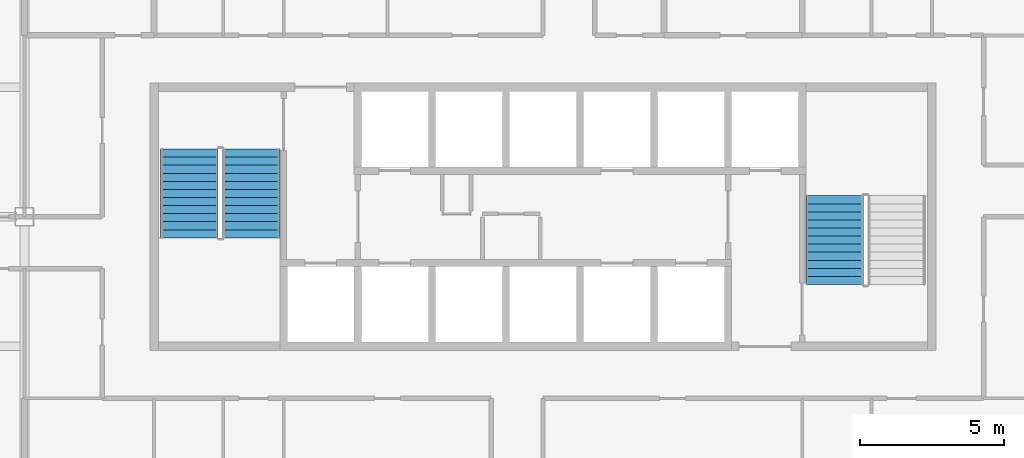
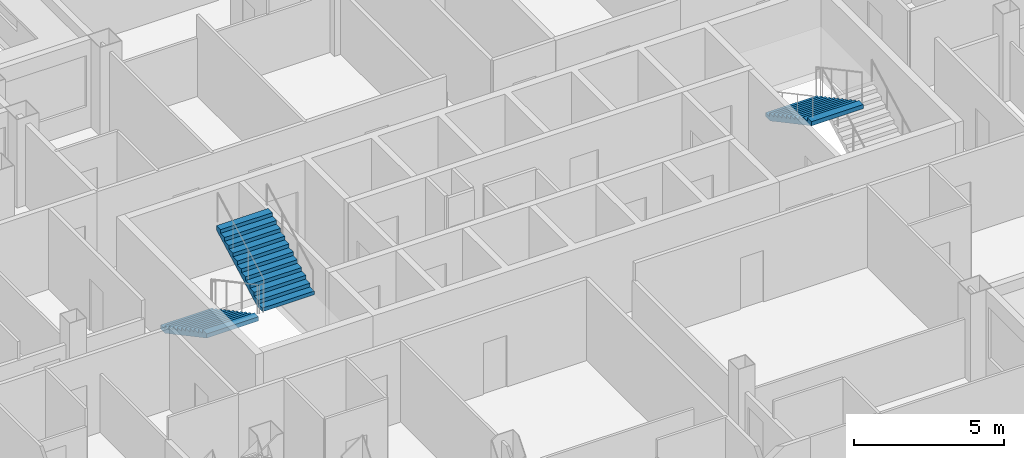
# One storey, part 13 of 17: 3 stair flights, 2 elements without a shape of their own.
"""IFC4 building model written with IfcOpenShell, lengths in metres."""

from ifc_helpers import new_model, si_unit, direction, frame, origin, place, context, subcontext, project, spatial, polygons, material, type_object, element, aggregate, save


model = new_model("IFC4")

# Units and contexts
model_context = context("Model", 3, precision=1e-05, world=origin(), true_north=direction((0.0, 1.0)))
body_context = subcontext(model_context, "Body", "Model", "MODEL_VIEW")
ifc_project = project(units=[si_unit("LENGTHUNIT", "METRE"), si_unit("AREAUNIT", "SQUARE_METRE"), si_unit("VOLUMEUNIT", "CUBIC_METRE"), si_unit("PLANEANGLEUNIT", "RADIAN"), si_unit("MASSUNIT", "GRAM", prefix="KILO")], contexts=[model_context])

# Site, building, storey
site_placement = place(None, origin())
site = spatial("IfcSite", under=ifc_project, at=site_placement, CompositionType="ELEMENT")
building_placement = place(site_placement, origin())
building = spatial("IfcBuilding", under=site, at=building_placement, Name="Caravel Reach Hotel and Residences", CompositionType="ELEMENT")
storey_placement = place(building_placement, frame((0.0, 0.0, 126.0)))
storey = spatial("IfcBuildingStorey", under=building, at=storey_placement, Name="L31", CompositionType="ELEMENT", Elevation=126.0)

# Stair, stair flights
ifc_material_1 = material(Name="Concrete C40", Category="concrete")
stair_type = type_object("IfcStairType", Name="Core stair", PredefinedType="HALF_TURN_STAIR", material=ifc_material_1)
stair_1_placement = place(storey_placement, origin())
stair_1 = element("IfcStair", 1, at=stair_1_placement, inside=storey, type_object=stair_type, Name="L31 Exit stair A", PredefinedType="HALF_TURN_STAIR")
ifc_material_2 = material(Name="Concrete C40", Category="concrete")
stair_flight_type = type_object("IfcStairFlightType", Name="Core stair flight", PredefinedType="STRAIGHT", material=ifc_material_2)
stair_flight_1_placement = place(storey_placement, frame((19.22509765625, 29.35009765625, 0.0), z_axis=(0.0, 0.0, 1.0), x_axis=(0.0, -1.0, 0.0)))
stair_flight_1 = element("IfcStairFlight", 2, at=stair_flight_1_placement, type_object=stair_flight_type, Name="ST-A flight 1", NumberOfRisers=12, NumberOfTreads=11, PredefinedType="STRAIGHT", RiserHeight=0.15, TreadLength=0.28, context=body_context, shape_type="Tessellation", body=[
    polygons([(0.3174408016601862, 1.0, 0.0), (0.3174408016601862, 0.6666666666666667, 0.0), (0.3174408016601862, 0.33333333333333337, 0.0), (0.3174408016601862, 0.0, 0.0), (0.3174408016601862, -0.33333333333333326, 0.0), (0.3174408016601862, -0.6666666666666667, 0.0), (0.3174408016601862, -1.0, 0.0), (3.081, 1.0, 1.479942427682043), (3.081, 0.6666666666666667, 1.479942427682043), (3.081, 0.33333333333333337, 1.479942427682043), (3.081, 0.0, 1.479942427682043), (3.081, -0.33333333333333326, 1.479942427682043), (3.081, -0.6666666666666667, 1.479942427682043), (3.081, -1.0, 1.479942427682043), (3.081, 1.0, 1.65), (3.081, 0.6666666666666667, 1.65), (3.081, 0.33333333333333337, 1.65), (3.081, 0.0, 1.65), (3.081, -0.33333333333333326, 1.65), (3.081, -0.6666666666666667, 1.65), (3.081, -1.0, 1.65), (2.8000000000000003, 1.0, 1.65), (2.8000000000000003, 0.6666666666666667, 1.65), (2.8000000000000003, 0.33333333333333337, 1.65), (2.8000000000000003, 0.0, 1.65), (2.8000000000000003, -0.33333333333333326, 1.65), (2.8000000000000003, -0.6666666666666667, 1.65), (2.8000000000000003, -1.0, 1.65), (2.8000000000000003, 1.0, 1.5), (2.8000000000000003, 0.6666666666666667, 1.5), (2.8000000000000003, 0.33333333333333337, 1.5), (2.8000000000000003, 0.0, 1.5), (2.8000000000000003, -0.33333333333333326, 1.5), (2.8000000000000003, -0.6666666666666667, 1.5), (2.8000000000000003, -1.0, 1.5), (2.5200000000000005, 1.0, 1.5), (2.5200000000000005, 0.6666666666666667, 1.5), (2.5200000000000005, 0.33333333333333337, 1.5), (2.5200000000000005, 0.0, 1.5), (2.5200000000000005, -0.33333333333333326, 1.5), (2.5200000000000005, -0.6666666666666667, 1.5), (2.5200000000000005, -1.0, 1.5), (2.5200000000000005, 1.0, 1.3499999999999999), (2.5200000000000005, 0.6666666666666667, 1.3499999999999999), (2.5200000000000005, 0.33333333333333337, 1.3499999999999999), (2.5200000000000005, 0.0, 1.3499999999999999), (2.5200000000000005, -0.33333333333333326, 1.3499999999999999), (2.5200000000000005, -0.6666666666666667, 1.3499999999999999), (2.5200000000000005, -1.0, 1.3499999999999999), (2.24, 1.0, 1.3499999999999999), (2.24, 0.6666666666666667, 1.3499999999999999), (2.24, 0.33333333333333337, 1.3499999999999999), (2.24, 0.0, 1.3499999999999999), (2.24, -0.33333333333333326, 1.3499999999999999), (2.24, -0.6666666666666667, 1.3499999999999999), (2.24, -1.0, 1.3499999999999999), (2.24, 1.0, 1.2), (2.24, 0.6666666666666667, 1.2), (2.24, 0.33333333333333337, 1.2), (2.24, 0.0, 1.2), (2.24, -0.33333333333333326, 1.2), (2.24, -0.6666666666666667, 1.2), (2.24, -1.0, 1.2), (1.9600000000000002, 1.0, 1.2), (1.9600000000000002, 0.6666666666666667, 1.2), (1.9600000000000002, 0.33333333333333337, 1.2), (1.9600000000000002, 0.0, 1.2), (1.9600000000000002, -0.33333333333333326, 1.2), (1.9600000000000002, -0.6666666666666667, 1.2), (1.9600000000000002, -1.0, 1.2), (1.9600000000000002, 1.0, 1.05), (1.9600000000000002, 0.6666666666666667, 1.05), (1.9600000000000002, 0.33333333333333337, 1.05), (1.9600000000000002, 0.0, 1.05), (1.9600000000000002, -0.33333333333333326, 1.05), (1.9600000000000002, -0.6666666666666667, 1.05), (1.9600000000000002, -1.0, 1.05), (1.6800000000000002, 1.0, 1.05), (1.6800000000000002, 0.6666666666666667, 1.05), (1.6800000000000002, 0.33333333333333337, 1.05), (1.6800000000000002, 0.0, 1.05), (1.6800000000000002, -0.33333333333333326, 1.05), (1.6800000000000002, -0.6666666666666667, 1.05), (1.6800000000000002, -1.0, 1.05), (1.6800000000000002, 1.0, 0.8999999999999999), (1.6800000000000002, 0.6666666666666667, 0.8999999999999999), (1.6800000000000002, 0.33333333333333337, 0.8999999999999999), (1.6800000000000002, 0.0, 0.8999999999999999), (1.6800000000000002, -0.33333333333333326, 0.8999999999999999), (1.6800000000000002, -0.6666666666666667, 0.8999999999999999), (1.6800000000000002, -1.0, 0.8999999999999999), (1.4000000000000001, 1.0, 0.8999999999999999), (1.4000000000000001, 0.6666666666666667, 0.8999999999999999), (1.4000000000000001, 0.33333333333333337, 0.8999999999999999), (1.4000000000000001, 0.0, 0.8999999999999999), (1.4000000000000001, -0.33333333333333326, 0.8999999999999999), (1.4000000000000001, -0.6666666666666667, 0.8999999999999999), (1.4000000000000001, -1.0, 0.8999999999999999), (1.4000000000000001, 1.0, 0.75), (1.4000000000000001, 0.6666666666666667, 0.75), (1.4000000000000001, 0.33333333333333337, 0.75), (1.4000000000000001, 0.0, 0.75), (1.4000000000000001, -0.33333333333333326, 0.75), (1.4000000000000001, -0.6666666666666667, 0.75), (1.4000000000000001, -1.0, 0.75), (1.12, 1.0, 0.75), (1.12, 0.6666666666666667, 0.75), (1.12, 0.33333333333333337, 0.75), (1.12, 0.0, 0.75), (1.12, -0.33333333333333326, 0.75), (1.12, -0.6666666666666667, 0.75), (1.12, -1.0, 0.75), (1.12, 1.0, 0.6), (1.12, 0.6666666666666667, 0.6), (1.12, 0.33333333333333337, 0.6), (1.12, 0.0, 0.6), (1.12, -0.33333333333333326, 0.6), (1.12, -0.6666666666666667, 0.6), (1.12, -1.0, 0.6), (0.8400000000000001, 1.0, 0.6), (0.8400000000000001, 0.6666666666666667, 0.6), (0.8400000000000001, 0.33333333333333337, 0.6), (0.8400000000000001, 0.0, 0.6), (0.8400000000000001, -0.33333333333333326, 0.6), (0.8400000000000001, -0.6666666666666667, 0.6), (0.8400000000000001, -1.0, 0.6), (0.8400000000000001, 1.0, 0.44999999999999996), (0.8400000000000001, 0.6666666666666667, 0.44999999999999996), (0.8400000000000001, 0.33333333333333337, 0.44999999999999996), (0.8400000000000001, 0.0, 0.44999999999999996), (0.8400000000000001, -0.33333333333333326, 0.44999999999999996), (0.8400000000000001, -0.6666666666666667, 0.44999999999999996), (0.8400000000000001, -1.0, 0.44999999999999996), (0.56, 1.0, 0.44999999999999996), (0.56, 0.6666666666666667, 0.44999999999999996), (0.56, 0.33333333333333337, 0.44999999999999996), (0.56, 0.0, 0.44999999999999996), (0.56, -0.33333333333333326, 0.44999999999999996), (0.56, -0.6666666666666667, 0.44999999999999996), (0.56, -1.0, 0.44999999999999996), (0.56, 1.0, 0.3), (0.56, 0.6666666666666667, 0.3), (0.56, 0.33333333333333337, 0.3), (0.56, 0.0, 0.3), (0.56, -0.33333333333333326, 0.3), (0.56, -0.6666666666666667, 0.3), (0.56, -1.0, 0.3), (0.28, 1.0, 0.3), (0.28, 0.6666666666666667, 0.3), (0.28, 0.33333333333333337, 0.3), (0.28, 0.0, 0.3), (0.28, -0.33333333333333326, 0.3), (0.28, -0.6666666666666667, 0.3), (0.28, -1.0, 0.3), (0.28, 1.0, 0.15), (0.28, 0.6666666666666667, 0.15), (0.28, 0.33333333333333337, 0.15), (0.28, 0.0, 0.15), (0.28, -0.33333333333333326, 0.15), (0.28, -0.6666666666666667, 0.15), (0.28, -1.0, 0.15), (-0.001, 1.0, 0.15), (-0.001, 0.6666666666666667, 0.15), (-0.001, 0.33333333333333337, 0.15), (-0.001, 0.0, 0.15), (-0.001, -0.33333333333333326, 0.15), (-0.001, -0.6666666666666667, 0.15), (-0.001, -1.0, 0.15), (-0.001, 1.0, 0.0), (-0.001, 0.6666666666666667, 0.0), (-0.001, 0.33333333333333337, 0.0), (-0.001, 0.0, 0.0), (-0.001, -0.33333333333333326, 0.0), (-0.001, -0.6666666666666667, 0.0), (-0.001, -1.0, 0.0)], [[[169, 162, 155, 148, 141, 134, 127, 120, 113, 106, 99, 92, 85, 78, 71, 64, 57, 50, 43, 36, 29, 22, 15, 8, 1]], [[7, 14, 21, 28, 35, 42, 49, 56, 63, 70, 77, 84, 91, 98, 105, 112, 119, 126, 133, 140, 147, 154, 161, 168, 175]], [[1, 8, 9, 2]], [[2, 9, 10, 3]], [[3, 10, 11, 4]], [[4, 11, 12, 5]], [[5, 12, 13, 6]], [[6, 13, 14, 7]], [[8, 15, 16, 9]], [[9, 16, 17, 10]], [[10, 17, 18, 11]], [[11, 18, 19, 12]], [[12, 19, 20, 13]], [[13, 20, 21, 14]], [[15, 22, 23, 16]], [[16, 23, 24, 17]], [[17, 24, 25, 18]], [[18, 25, 26, 19]], [[19, 26, 27, 20]], [[20, 27, 28, 21]], [[22, 29, 30, 23]], [[23, 30, 31, 24]], [[24, 31, 32, 25]], [[25, 32, 33, 26]], [[26, 33, 34, 27]], [[27, 34, 35, 28]], [[29, 36, 37, 30]], [[30, 37, 38, 31]], [[31, 38, 39, 32]], [[32, 39, 40, 33]], [[33, 40, 41, 34]], [[34, 41, 42, 35]], [[36, 43, 44, 37]], [[37, 44, 45, 38]], [[38, 45, 46, 39]], [[39, 46, 47, 40]], [[40, 47, 48, 41]], [[41, 48, 49, 42]], [[43, 50, 51, 44]], [[44, 51, 52, 45]], [[45, 52, 53, 46]], [[46, 53, 54, 47]], [[47, 54, 55, 48]], [[48, 55, 56, 49]], [[50, 57, 58, 51]], [[51, 58, 59, 52]], [[52, 59, 60, 53]], [[53, 60, 61, 54]], [[54, 61, 62, 55]], [[55, 62, 63, 56]], [[57, 64, 65, 58]], [[58, 65, 66, 59]], [[59, 66, 67, 60]], [[60, 67, 68, 61]], [[61, 68, 69, 62]], [[62, 69, 70, 63]], [[64, 71, 72, 65]], [[65, 72, 73, 66]], [[66, 73, 74, 67]], [[67, 74, 75, 68]], [[68, 75, 76, 69]], [[69, 76, 77, 70]], [[71, 78, 79, 72]], [[72, 79, 80, 73]], [[73, 80, 81, 74]], [[74, 81, 82, 75]], [[75, 82, 83, 76]], [[76, 83, 84, 77]], [[78, 85, 86, 79]], [[79, 86, 87, 80]], [[80, 87, 88, 81]], [[81, 88, 89, 82]], [[82, 89, 90, 83]], [[83, 90, 91, 84]], [[85, 92, 93, 86]], [[86, 93, 94, 87]], [[87, 94, 95, 88]], [[88, 95, 96, 89]], [[89, 96, 97, 90]], [[90, 97, 98, 91]], [[92, 99, 100, 93]], [[93, 100, 101, 94]], [[94, 101, 102, 95]], [[95, 102, 103, 96]], [[96, 103, 104, 97]], [[97, 104, 105, 98]], [[99, 106, 107, 100]], [[100, 107, 108, 101]], [[101, 108, 109, 102]], [[102, 109, 110, 103]], [[103, 110, 111, 104]], [[104, 111, 112, 105]], [[106, 113, 114, 107]], [[107, 114, 115, 108]], [[108, 115, 116, 109]], [[109, 116, 117, 110]], [[110, 117, 118, 111]], [[111, 118, 119, 112]], [[113, 120, 121, 114]], [[114, 121, 122, 115]], [[115, 122, 123, 116]], [[116, 123, 124, 117]], [[117, 124, 125, 118]], [[118, 125, 126, 119]], [[120, 127, 128, 121]], [[121, 128, 129, 122]], [[122, 129, 130, 123]], [[123, 130, 131, 124]], [[124, 131, 132, 125]], [[125, 132, 133, 126]], [[127, 134, 135, 128]], [[128, 135, 136, 129]], [[129, 136, 137, 130]], [[130, 137, 138, 131]], [[131, 138, 139, 132]], [[132, 139, 140, 133]], [[134, 141, 142, 135]], [[135, 142, 143, 136]], [[136, 143, 144, 137]], [[137, 144, 145, 138]], [[138, 145, 146, 139]], [[139, 146, 147, 140]], [[141, 148, 149, 142]], [[142, 149, 150, 143]], [[143, 150, 151, 144]], [[144, 151, 152, 145]], [[145, 152, 153, 146]], [[146, 153, 154, 147]], [[148, 155, 156, 149]], [[149, 156, 157, 150]], [[150, 157, 158, 151]], [[151, 158, 159, 152]], [[152, 159, 160, 153]], [[153, 160, 161, 154]], [[155, 162, 163, 156]], [[156, 163, 164, 157]], [[157, 164, 165, 158]], [[158, 165, 166, 159]], [[159, 166, 167, 160]], [[160, 167, 168, 161]], [[162, 169, 170, 163]], [[163, 170, 171, 164]], [[164, 171, 172, 165]], [[165, 172, 173, 166]], [[166, 173, 174, 167]], [[167, 174, 175, 168]], [[169, 1, 2, 170]], [[170, 2, 3, 171]], [[171, 3, 4, 172]], [[172, 4, 5, 173]], [[173, 5, 6, 174]], [[174, 6, 7, 175]]], closed=True),
])
stair_flight_2_placement = place(storey_placement, frame((21.375, 26.27001953125, 1.800048828125), z_axis=(0.0, 0.0, 1.0), x_axis=(0.0, 1.0, 0.0)))
stair_flight_2 = element("IfcStairFlight", 3, at=stair_flight_2_placement, type_object=stair_flight_type, Name="ST-A flight 2", NumberOfRisers=12, NumberOfTreads=11, PredefinedType="STRAIGHT", RiserHeight=0.15, TreadLength=0.28, context=body_context, shape_type="Tessellation", body=[
    polygons([(0.3174408016601862, 1.0, 0.0), (0.3174408016601862, 0.6666666666666667, 0.0), (0.3174408016601862, 0.33333333333333337, 0.0), (0.3174408016601862, 0.0, 0.0), (0.3174408016601862, -0.33333333333333326, 0.0), (0.3174408016601862, -0.6666666666666667, 0.0), (0.3174408016601862, -1.0, 0.0), (3.081, 1.0, 1.479942427682043), (3.081, 0.6666666666666667, 1.479942427682043), (3.081, 0.33333333333333337, 1.479942427682043), (3.081, 0.0, 1.479942427682043), (3.081, -0.33333333333333326, 1.479942427682043), (3.081, -0.6666666666666667, 1.479942427682043), (3.081, -1.0, 1.479942427682043), (3.081, 1.0, 1.65), (3.081, 0.6666666666666667, 1.65), (3.081, 0.33333333333333337, 1.65), (3.081, 0.0, 1.65), (3.081, -0.33333333333333326, 1.65), (3.081, -0.6666666666666667, 1.65), (3.081, -1.0, 1.65), (2.8000000000000003, 1.0, 1.65), (2.8000000000000003, 0.6666666666666667, 1.65), (2.8000000000000003, 0.33333333333333337, 1.65), (2.8000000000000003, 0.0, 1.65), (2.8000000000000003, -0.33333333333333326, 1.65), (2.8000000000000003, -0.6666666666666667, 1.65), (2.8000000000000003, -1.0, 1.65), (2.8000000000000003, 1.0, 1.5), (2.8000000000000003, 0.6666666666666667, 1.5), (2.8000000000000003, 0.33333333333333337, 1.5), (2.8000000000000003, 0.0, 1.5), (2.8000000000000003, -0.33333333333333326, 1.5), (2.8000000000000003, -0.6666666666666667, 1.5), (2.8000000000000003, -1.0, 1.5), (2.5200000000000005, 1.0, 1.5), (2.5200000000000005, 0.6666666666666667, 1.5), (2.5200000000000005, 0.33333333333333337, 1.5), (2.5200000000000005, 0.0, 1.5), (2.5200000000000005, -0.33333333333333326, 1.5), (2.5200000000000005, -0.6666666666666667, 1.5), (2.5200000000000005, -1.0, 1.5), (2.5200000000000005, 1.0, 1.3499999999999999), (2.5200000000000005, 0.6666666666666667, 1.3499999999999999), (2.5200000000000005, 0.33333333333333337, 1.3499999999999999), (2.5200000000000005, 0.0, 1.3499999999999999), (2.5200000000000005, -0.33333333333333326, 1.3499999999999999), (2.5200000000000005, -0.6666666666666667, 1.3499999999999999), (2.5200000000000005, -1.0, 1.3499999999999999), (2.24, 1.0, 1.3499999999999999), (2.24, 0.6666666666666667, 1.3499999999999999), (2.24, 0.33333333333333337, 1.3499999999999999), (2.24, 0.0, 1.3499999999999999), (2.24, -0.33333333333333326, 1.3499999999999999), (2.24, -0.6666666666666667, 1.3499999999999999), (2.24, -1.0, 1.3499999999999999), (2.24, 1.0, 1.2), (2.24, 0.6666666666666667, 1.2), (2.24, 0.33333333333333337, 1.2), (2.24, 0.0, 1.2), (2.24, -0.33333333333333326, 1.2), (2.24, -0.6666666666666667, 1.2), (2.24, -1.0, 1.2), (1.9600000000000002, 1.0, 1.2), (1.9600000000000002, 0.6666666666666667, 1.2), (1.9600000000000002, 0.33333333333333337, 1.2), (1.9600000000000002, 0.0, 1.2), (1.9600000000000002, -0.33333333333333326, 1.2), (1.9600000000000002, -0.6666666666666667, 1.2), (1.9600000000000002, -1.0, 1.2), (1.9600000000000002, 1.0, 1.05), (1.9600000000000002, 0.6666666666666667, 1.05), (1.9600000000000002, 0.33333333333333337, 1.05), (1.9600000000000002, 0.0, 1.05), (1.9600000000000002, -0.33333333333333326, 1.05), (1.9600000000000002, -0.6666666666666667, 1.05), (1.9600000000000002, -1.0, 1.05), (1.6800000000000002, 1.0, 1.05), (1.6800000000000002, 0.6666666666666667, 1.05), (1.6800000000000002, 0.33333333333333337, 1.05), (1.6800000000000002, 0.0, 1.05), (1.6800000000000002, -0.33333333333333326, 1.05), (1.6800000000000002, -0.6666666666666667, 1.05), (1.6800000000000002, -1.0, 1.05), (1.6800000000000002, 1.0, 0.8999999999999999), (1.6800000000000002, 0.6666666666666667, 0.8999999999999999), (1.6800000000000002, 0.33333333333333337, 0.8999999999999999), (1.6800000000000002, 0.0, 0.8999999999999999), (1.6800000000000002, -0.33333333333333326, 0.8999999999999999), (1.6800000000000002, -0.6666666666666667, 0.8999999999999999), (1.6800000000000002, -1.0, 0.8999999999999999), (1.4000000000000001, 1.0, 0.8999999999999999), (1.4000000000000001, 0.6666666666666667, 0.8999999999999999), (1.4000000000000001, 0.33333333333333337, 0.8999999999999999), (1.4000000000000001, 0.0, 0.8999999999999999), (1.4000000000000001, -0.33333333333333326, 0.8999999999999999), (1.4000000000000001, -0.6666666666666667, 0.8999999999999999), (1.4000000000000001, -1.0, 0.8999999999999999), (1.4000000000000001, 1.0, 0.75), (1.4000000000000001, 0.6666666666666667, 0.75), (1.4000000000000001, 0.33333333333333337, 0.75), (1.4000000000000001, 0.0, 0.75), (1.4000000000000001, -0.33333333333333326, 0.75), (1.4000000000000001, -0.6666666666666667, 0.75), (1.4000000000000001, -1.0, 0.75), (1.12, 1.0, 0.75), (1.12, 0.6666666666666667, 0.75), (1.12, 0.33333333333333337, 0.75), (1.12, 0.0, 0.75), (1.12, -0.33333333333333326, 0.75), (1.12, -0.6666666666666667, 0.75), (1.12, -1.0, 0.75), (1.12, 1.0, 0.6), (1.12, 0.6666666666666667, 0.6), (1.12, 0.33333333333333337, 0.6), (1.12, 0.0, 0.6), (1.12, -0.33333333333333326, 0.6), (1.12, -0.6666666666666667, 0.6), (1.12, -1.0, 0.6), (0.8400000000000001, 1.0, 0.6), (0.8400000000000001, 0.6666666666666667, 0.6), (0.8400000000000001, 0.33333333333333337, 0.6), (0.8400000000000001, 0.0, 0.6), (0.8400000000000001, -0.33333333333333326, 0.6), (0.8400000000000001, -0.6666666666666667, 0.6), (0.8400000000000001, -1.0, 0.6), (0.8400000000000001, 1.0, 0.44999999999999996), (0.8400000000000001, 0.6666666666666667, 0.44999999999999996), (0.8400000000000001, 0.33333333333333337, 0.44999999999999996), (0.8400000000000001, 0.0, 0.44999999999999996), (0.8400000000000001, -0.33333333333333326, 0.44999999999999996), (0.8400000000000001, -0.6666666666666667, 0.44999999999999996), (0.8400000000000001, -1.0, 0.44999999999999996), (0.56, 1.0, 0.44999999999999996), (0.56, 0.6666666666666667, 0.44999999999999996), (0.56, 0.33333333333333337, 0.44999999999999996), (0.56, 0.0, 0.44999999999999996), (0.56, -0.33333333333333326, 0.44999999999999996), (0.56, -0.6666666666666667, 0.44999999999999996), (0.56, -1.0, 0.44999999999999996), (0.56, 1.0, 0.3), (0.56, 0.6666666666666667, 0.3), (0.56, 0.33333333333333337, 0.3), (0.56, 0.0, 0.3), (0.56, -0.33333333333333326, 0.3), (0.56, -0.6666666666666667, 0.3), (0.56, -1.0, 0.3), (0.28, 1.0, 0.3), (0.28, 0.6666666666666667, 0.3), (0.28, 0.33333333333333337, 0.3), (0.28, 0.0, 0.3), (0.28, -0.33333333333333326, 0.3), (0.28, -0.6666666666666667, 0.3), (0.28, -1.0, 0.3), (0.28, 1.0, 0.15), (0.28, 0.6666666666666667, 0.15), (0.28, 0.33333333333333337, 0.15), (0.28, 0.0, 0.15), (0.28, -0.33333333333333326, 0.15), (0.28, -0.6666666666666667, 0.15), (0.28, -1.0, 0.15), (-0.001, 1.0, 0.15), (-0.001, 0.6666666666666667, 0.15), (-0.001, 0.33333333333333337, 0.15), (-0.001, 0.0, 0.15), (-0.001, -0.33333333333333326, 0.15), (-0.001, -0.6666666666666667, 0.15), (-0.001, -1.0, 0.15), (-0.001, 1.0, 0.0), (-0.001, 0.6666666666666667, 0.0), (-0.001, 0.33333333333333337, 0.0), (-0.001, 0.0, 0.0), (-0.001, -0.33333333333333326, 0.0), (-0.001, -0.6666666666666667, 0.0), (-0.001, -1.0, 0.0)], [[[169, 162, 155, 148, 141, 134, 127, 120, 113, 106, 99, 92, 85, 78, 71, 64, 57, 50, 43, 36, 29, 22, 15, 8, 1]], [[7, 14, 21, 28, 35, 42, 49, 56, 63, 70, 77, 84, 91, 98, 105, 112, 119, 126, 133, 140, 147, 154, 161, 168, 175]], [[1, 8, 9, 2]], [[2, 9, 10, 3]], [[3, 10, 11, 4]], [[4, 11, 12, 5]], [[5, 12, 13, 6]], [[6, 13, 14, 7]], [[8, 15, 16, 9]], [[9, 16, 17, 10]], [[10, 17, 18, 11]], [[11, 18, 19, 12]], [[12, 19, 20, 13]], [[13, 20, 21, 14]], [[15, 22, 23, 16]], [[16, 23, 24, 17]], [[17, 24, 25, 18]], [[18, 25, 26, 19]], [[19, 26, 27, 20]], [[20, 27, 28, 21]], [[22, 29, 30, 23]], [[23, 30, 31, 24]], [[24, 31, 32, 25]], [[25, 32, 33, 26]], [[26, 33, 34, 27]], [[27, 34, 35, 28]], [[29, 36, 37, 30]], [[30, 37, 38, 31]], [[31, 38, 39, 32]], [[32, 39, 40, 33]], [[33, 40, 41, 34]], [[34, 41, 42, 35]], [[36, 43, 44, 37]], [[37, 44, 45, 38]], [[38, 45, 46, 39]], [[39, 46, 47, 40]], [[40, 47, 48, 41]], [[41, 48, 49, 42]], [[43, 50, 51, 44]], [[44, 51, 52, 45]], [[45, 52, 53, 46]], [[46, 53, 54, 47]], [[47, 54, 55, 48]], [[48, 55, 56, 49]], [[50, 57, 58, 51]], [[51, 58, 59, 52]], [[52, 59, 60, 53]], [[53, 60, 61, 54]], [[54, 61, 62, 55]], [[55, 62, 63, 56]], [[57, 64, 65, 58]], [[58, 65, 66, 59]], [[59, 66, 67, 60]], [[60, 67, 68, 61]], [[61, 68, 69, 62]], [[62, 69, 70, 63]], [[64, 71, 72, 65]], [[65, 72, 73, 66]], [[66, 73, 74, 67]], [[67, 74, 75, 68]], [[68, 75, 76, 69]], [[69, 76, 77, 70]], [[71, 78, 79, 72]], [[72, 79, 80, 73]], [[73, 80, 81, 74]], [[74, 81, 82, 75]], [[75, 82, 83, 76]], [[76, 83, 84, 77]], [[78, 85, 86, 79]], [[79, 86, 87, 80]], [[80, 87, 88, 81]], [[81, 88, 89, 82]], [[82, 89, 90, 83]], [[83, 90, 91, 84]], [[85, 92, 93, 86]], [[86, 93, 94, 87]], [[87, 94, 95, 88]], [[88, 95, 96, 89]], [[89, 96, 97, 90]], [[90, 97, 98, 91]], [[92, 99, 100, 93]], [[93, 100, 101, 94]], [[94, 101, 102, 95]], [[95, 102, 103, 96]], [[96, 103, 104, 97]], [[97, 104, 105, 98]], [[99, 106, 107, 100]], [[100, 107, 108, 101]], [[101, 108, 109, 102]], [[102, 109, 110, 103]], [[103, 110, 111, 104]], [[104, 111, 112, 105]], [[106, 113, 114, 107]], [[107, 114, 115, 108]], [[108, 115, 116, 109]], [[109, 116, 117, 110]], [[110, 117, 118, 111]], [[111, 118, 119, 112]], [[113, 120, 121, 114]], [[114, 121, 122, 115]], [[115, 122, 123, 116]], [[116, 123, 124, 117]], [[117, 124, 125, 118]], [[118, 125, 126, 119]], [[120, 127, 128, 121]], [[121, 128, 129, 122]], [[122, 129, 130, 123]], [[123, 130, 131, 124]], [[124, 131, 132, 125]], [[125, 132, 133, 126]], [[127, 134, 135, 128]], [[128, 135, 136, 129]], [[129, 136, 137, 130]], [[130, 137, 138, 131]], [[131, 138, 139, 132]], [[132, 139, 140, 133]], [[134, 141, 142, 135]], [[135, 142, 143, 136]], [[136, 143, 144, 137]], [[137, 144, 145, 138]], [[138, 145, 146, 139]], [[139, 146, 147, 140]], [[141, 148, 149, 142]], [[142, 149, 150, 143]], [[143, 150, 151, 144]], [[144, 151, 152, 145]], [[145, 152, 153, 146]], [[146, 153, 154, 147]], [[148, 155, 156, 149]], [[149, 156, 157, 150]], [[150, 157, 158, 151]], [[151, 158, 159, 152]], [[152, 159, 160, 153]], [[153, 160, 161, 154]], [[155, 162, 163, 156]], [[156, 163, 164, 157]], [[157, 164, 165, 158]], [[158, 165, 166, 159]], [[159, 166, 167, 160]], [[160, 167, 168, 161]], [[162, 169, 170, 163]], [[163, 170, 171, 164]], [[164, 171, 172, 165]], [[165, 172, 173, 166]], [[166, 173, 174, 167]], [[167, 174, 175, 168]], [[169, 1, 2, 170]], [[170, 2, 3, 171]], [[171, 3, 4, 172]], [[172, 4, 5, 173]], [[173, 5, 6, 174]], [[174, 6, 7, 175]]], closed=True),
])
aggregate(stair_1, [stair_flight_1, stair_flight_2])

# Stair, stair flight
stair_2_placement = place(storey_placement, origin())
stair_2 = element("IfcStair", 4, at=stair_2_placement, inside=storey, type_object=stair_type, Name="L31 Exit stair B", PredefinedType="HALF_TURN_STAIR")
stair_flight_3_placement = place(storey_placement, frame((41.625, 27.72998046875, 1.800048828125), z_axis=(0.0, 0.0, 1.0), x_axis=(0.0, -1.0, 0.0)))
stair_flight_3 = element("IfcStairFlight", 5, at=stair_flight_3_placement, type_object=stair_flight_type, Name="ST-B flight 2", NumberOfRisers=12, NumberOfTreads=11, PredefinedType="STRAIGHT", RiserHeight=0.15, TreadLength=0.28, context=body_context, shape_type="Tessellation", body=[
    polygons([(0.3174408016601862, 1.0, 0.0), (0.3174408016601862, 0.6666666666666667, 0.0), (0.3174408016601862, 0.33333333333333337, 0.0), (0.3174408016601862, 0.0, 0.0), (0.3174408016601862, -0.33333333333333326, 0.0), (0.3174408016601862, -0.6666666666666667, 0.0), (0.3174408016601862, -1.0, 0.0), (3.081, 1.0, 1.479942427682043), (3.081, 0.6666666666666667, 1.479942427682043), (3.081, 0.33333333333333337, 1.479942427682043), (3.081, 0.0, 1.479942427682043), (3.081, -0.33333333333333326, 1.479942427682043), (3.081, -0.6666666666666667, 1.479942427682043), (3.081, -1.0, 1.479942427682043), (3.081, 1.0, 1.65), (3.081, 0.6666666666666667, 1.65), (3.081, 0.33333333333333337, 1.65), (3.081, 0.0, 1.65), (3.081, -0.33333333333333326, 1.65), (3.081, -0.6666666666666667, 1.65), (3.081, -1.0, 1.65), (2.8000000000000003, 1.0, 1.65), (2.8000000000000003, 0.6666666666666667, 1.65), (2.8000000000000003, 0.33333333333333337, 1.65), (2.8000000000000003, 0.0, 1.65), (2.8000000000000003, -0.33333333333333326, 1.65), (2.8000000000000003, -0.6666666666666667, 1.65), (2.8000000000000003, -1.0, 1.65), (2.8000000000000003, 1.0, 1.5), (2.8000000000000003, 0.6666666666666667, 1.5), (2.8000000000000003, 0.33333333333333337, 1.5), (2.8000000000000003, 0.0, 1.5), (2.8000000000000003, -0.33333333333333326, 1.5), (2.8000000000000003, -0.6666666666666667, 1.5), (2.8000000000000003, -1.0, 1.5), (2.5200000000000005, 1.0, 1.5), (2.5200000000000005, 0.6666666666666667, 1.5), (2.5200000000000005, 0.33333333333333337, 1.5), (2.5200000000000005, 0.0, 1.5), (2.5200000000000005, -0.33333333333333326, 1.5), (2.5200000000000005, -0.6666666666666667, 1.5), (2.5200000000000005, -1.0, 1.5), (2.5200000000000005, 1.0, 1.3499999999999999), (2.5200000000000005, 0.6666666666666667, 1.3499999999999999), (2.5200000000000005, 0.33333333333333337, 1.3499999999999999), (2.5200000000000005, 0.0, 1.3499999999999999), (2.5200000000000005, -0.33333333333333326, 1.3499999999999999), (2.5200000000000005, -0.6666666666666667, 1.3499999999999999), (2.5200000000000005, -1.0, 1.3499999999999999), (2.24, 1.0, 1.3499999999999999), (2.24, 0.6666666666666667, 1.3499999999999999), (2.24, 0.33333333333333337, 1.3499999999999999), (2.24, 0.0, 1.3499999999999999), (2.24, -0.33333333333333326, 1.3499999999999999), (2.24, -0.6666666666666667, 1.3499999999999999), (2.24, -1.0, 1.3499999999999999), (2.24, 1.0, 1.2), (2.24, 0.6666666666666667, 1.2), (2.24, 0.33333333333333337, 1.2), (2.24, 0.0, 1.2), (2.24, -0.33333333333333326, 1.2), (2.24, -0.6666666666666667, 1.2), (2.24, -1.0, 1.2), (1.9600000000000002, 1.0, 1.2), (1.9600000000000002, 0.6666666666666667, 1.2), (1.9600000000000002, 0.33333333333333337, 1.2), (1.9600000000000002, 0.0, 1.2), (1.9600000000000002, -0.33333333333333326, 1.2), (1.9600000000000002, -0.6666666666666667, 1.2), (1.9600000000000002, -1.0, 1.2), (1.9600000000000002, 1.0, 1.05), (1.9600000000000002, 0.6666666666666667, 1.05), (1.9600000000000002, 0.33333333333333337, 1.05), (1.9600000000000002, 0.0, 1.05), (1.9600000000000002, -0.33333333333333326, 1.05), (1.9600000000000002, -0.6666666666666667, 1.05), (1.9600000000000002, -1.0, 1.05), (1.6800000000000002, 1.0, 1.05), (1.6800000000000002, 0.6666666666666667, 1.05), (1.6800000000000002, 0.33333333333333337, 1.05), (1.6800000000000002, 0.0, 1.05), (1.6800000000000002, -0.33333333333333326, 1.05), (1.6800000000000002, -0.6666666666666667, 1.05), (1.6800000000000002, -1.0, 1.05), (1.6800000000000002, 1.0, 0.8999999999999999), (1.6800000000000002, 0.6666666666666667, 0.8999999999999999), (1.6800000000000002, 0.33333333333333337, 0.8999999999999999), (1.6800000000000002, 0.0, 0.8999999999999999), (1.6800000000000002, -0.33333333333333326, 0.8999999999999999), (1.6800000000000002, -0.6666666666666667, 0.8999999999999999), (1.6800000000000002, -1.0, 0.8999999999999999), (1.4000000000000001, 1.0, 0.8999999999999999), (1.4000000000000001, 0.6666666666666667, 0.8999999999999999), (1.4000000000000001, 0.33333333333333337, 0.8999999999999999), (1.4000000000000001, 0.0, 0.8999999999999999), (1.4000000000000001, -0.33333333333333326, 0.8999999999999999), (1.4000000000000001, -0.6666666666666667, 0.8999999999999999), (1.4000000000000001, -1.0, 0.8999999999999999), (1.4000000000000001, 1.0, 0.75), (1.4000000000000001, 0.6666666666666667, 0.75), (1.4000000000000001, 0.33333333333333337, 0.75), (1.4000000000000001, 0.0, 0.75), (1.4000000000000001, -0.33333333333333326, 0.75), (1.4000000000000001, -0.6666666666666667, 0.75), (1.4000000000000001, -1.0, 0.75), (1.12, 1.0, 0.75), (1.12, 0.6666666666666667, 0.75), (1.12, 0.33333333333333337, 0.75), (1.12, 0.0, 0.75), (1.12, -0.33333333333333326, 0.75), (1.12, -0.6666666666666667, 0.75), (1.12, -1.0, 0.75), (1.12, 1.0, 0.6), (1.12, 0.6666666666666667, 0.6), (1.12, 0.33333333333333337, 0.6), (1.12, 0.0, 0.6), (1.12, -0.33333333333333326, 0.6), (1.12, -0.6666666666666667, 0.6), (1.12, -1.0, 0.6), (0.8400000000000001, 1.0, 0.6), (0.8400000000000001, 0.6666666666666667, 0.6), (0.8400000000000001, 0.33333333333333337, 0.6), (0.8400000000000001, 0.0, 0.6), (0.8400000000000001, -0.33333333333333326, 0.6), (0.8400000000000001, -0.6666666666666667, 0.6), (0.8400000000000001, -1.0, 0.6), (0.8400000000000001, 1.0, 0.44999999999999996), (0.8400000000000001, 0.6666666666666667, 0.44999999999999996), (0.8400000000000001, 0.33333333333333337, 0.44999999999999996), (0.8400000000000001, 0.0, 0.44999999999999996), (0.8400000000000001, -0.33333333333333326, 0.44999999999999996), (0.8400000000000001, -0.6666666666666667, 0.44999999999999996), (0.8400000000000001, -1.0, 0.44999999999999996), (0.56, 1.0, 0.44999999999999996), (0.56, 0.6666666666666667, 0.44999999999999996), (0.56, 0.33333333333333337, 0.44999999999999996), (0.56, 0.0, 0.44999999999999996), (0.56, -0.33333333333333326, 0.44999999999999996), (0.56, -0.6666666666666667, 0.44999999999999996), (0.56, -1.0, 0.44999999999999996), (0.56, 1.0, 0.3), (0.56, 0.6666666666666667, 0.3), (0.56, 0.33333333333333337, 0.3), (0.56, 0.0, 0.3), (0.56, -0.33333333333333326, 0.3), (0.56, -0.6666666666666667, 0.3), (0.56, -1.0, 0.3), (0.28, 1.0, 0.3), (0.28, 0.6666666666666667, 0.3), (0.28, 0.33333333333333337, 0.3), (0.28, 0.0, 0.3), (0.28, -0.33333333333333326, 0.3), (0.28, -0.6666666666666667, 0.3), (0.28, -1.0, 0.3), (0.28, 1.0, 0.15), (0.28, 0.6666666666666667, 0.15), (0.28, 0.33333333333333337, 0.15), (0.28, 0.0, 0.15), (0.28, -0.33333333333333326, 0.15), (0.28, -0.6666666666666667, 0.15), (0.28, -1.0, 0.15), (-0.001, 1.0, 0.15), (-0.001, 0.6666666666666667, 0.15), (-0.001, 0.33333333333333337, 0.15), (-0.001, 0.0, 0.15), (-0.001, -0.33333333333333326, 0.15), (-0.001, -0.6666666666666667, 0.15), (-0.001, -1.0, 0.15), (-0.001, 1.0, 0.0), (-0.001, 0.6666666666666667, 0.0), (-0.001, 0.33333333333333337, 0.0), (-0.001, 0.0, 0.0), (-0.001, -0.33333333333333326, 0.0), (-0.001, -0.6666666666666667, 0.0), (-0.001, -1.0, 0.0)], [[[169, 162, 155, 148, 141, 134, 127, 120, 113, 106, 99, 92, 85, 78, 71, 64, 57, 50, 43, 36, 29, 22, 15, 8, 1]], [[7, 14, 21, 28, 35, 42, 49, 56, 63, 70, 77, 84, 91, 98, 105, 112, 119, 126, 133, 140, 147, 154, 161, 168, 175]], [[1, 8, 9, 2]], [[2, 9, 10, 3]], [[3, 10, 11, 4]], [[4, 11, 12, 5]], [[5, 12, 13, 6]], [[6, 13, 14, 7]], [[8, 15, 16, 9]], [[9, 16, 17, 10]], [[10, 17, 18, 11]], [[11, 18, 19, 12]], [[12, 19, 20, 13]], [[13, 20, 21, 14]], [[15, 22, 23, 16]], [[16, 23, 24, 17]], [[17, 24, 25, 18]], [[18, 25, 26, 19]], [[19, 26, 27, 20]], [[20, 27, 28, 21]], [[22, 29, 30, 23]], [[23, 30, 31, 24]], [[24, 31, 32, 25]], [[25, 32, 33, 26]], [[26, 33, 34, 27]], [[27, 34, 35, 28]], [[29, 36, 37, 30]], [[30, 37, 38, 31]], [[31, 38, 39, 32]], [[32, 39, 40, 33]], [[33, 40, 41, 34]], [[34, 41, 42, 35]], [[36, 43, 44, 37]], [[37, 44, 45, 38]], [[38, 45, 46, 39]], [[39, 46, 47, 40]], [[40, 47, 48, 41]], [[41, 48, 49, 42]], [[43, 50, 51, 44]], [[44, 51, 52, 45]], [[45, 52, 53, 46]], [[46, 53, 54, 47]], [[47, 54, 55, 48]], [[48, 55, 56, 49]], [[50, 57, 58, 51]], [[51, 58, 59, 52]], [[52, 59, 60, 53]], [[53, 60, 61, 54]], [[54, 61, 62, 55]], [[55, 62, 63, 56]], [[57, 64, 65, 58]], [[58, 65, 66, 59]], [[59, 66, 67, 60]], [[60, 67, 68, 61]], [[61, 68, 69, 62]], [[62, 69, 70, 63]], [[64, 71, 72, 65]], [[65, 72, 73, 66]], [[66, 73, 74, 67]], [[67, 74, 75, 68]], [[68, 75, 76, 69]], [[69, 76, 77, 70]], [[71, 78, 79, 72]], [[72, 79, 80, 73]], [[73, 80, 81, 74]], [[74, 81, 82, 75]], [[75, 82, 83, 76]], [[76, 83, 84, 77]], [[78, 85, 86, 79]], [[79, 86, 87, 80]], [[80, 87, 88, 81]], [[81, 88, 89, 82]], [[82, 89, 90, 83]], [[83, 90, 91, 84]], [[85, 92, 93, 86]], [[86, 93, 94, 87]], [[87, 94, 95, 88]], [[88, 95, 96, 89]], [[89, 96, 97, 90]], [[90, 97, 98, 91]], [[92, 99, 100, 93]], [[93, 100, 101, 94]], [[94, 101, 102, 95]], [[95, 102, 103, 96]], [[96, 103, 104, 97]], [[97, 104, 105, 98]], [[99, 106, 107, 100]], [[100, 107, 108, 101]], [[101, 108, 109, 102]], [[102, 109, 110, 103]], [[103, 110, 111, 104]], [[104, 111, 112, 105]], [[106, 113, 114, 107]], [[107, 114, 115, 108]], [[108, 115, 116, 109]], [[109, 116, 117, 110]], [[110, 117, 118, 111]], [[111, 118, 119, 112]], [[113, 120, 121, 114]], [[114, 121, 122, 115]], [[115, 122, 123, 116]], [[116, 123, 124, 117]], [[117, 124, 125, 118]], [[118, 125, 126, 119]], [[120, 127, 128, 121]], [[121, 128, 129, 122]], [[122, 129, 130, 123]], [[123, 130, 131, 124]], [[124, 131, 132, 125]], [[125, 132, 133, 126]], [[127, 134, 135, 128]], [[128, 135, 136, 129]], [[129, 136, 137, 130]], [[130, 137, 138, 131]], [[131, 138, 139, 132]], [[132, 139, 140, 133]], [[134, 141, 142, 135]], [[135, 142, 143, 136]], [[136, 143, 144, 137]], [[137, 144, 145, 138]], [[138, 145, 146, 139]], [[139, 146, 147, 140]], [[141, 148, 149, 142]], [[142, 149, 150, 143]], [[143, 150, 151, 144]], [[144, 151, 152, 145]], [[145, 152, 153, 146]], [[146, 153, 154, 147]], [[148, 155, 156, 149]], [[149, 156, 157, 150]], [[150, 157, 158, 151]], [[151, 158, 159, 152]], [[152, 159, 160, 153]], [[153, 160, 161, 154]], [[155, 162, 163, 156]], [[156, 163, 164, 157]], [[157, 164, 165, 158]], [[158, 165, 166, 159]], [[159, 166, 167, 160]], [[160, 167, 168, 161]], [[162, 169, 170, 163]], [[163, 170, 171, 164]], [[164, 171, 172, 165]], [[165, 172, 173, 166]], [[166, 173, 174, 167]], [[167, 174, 175, 168]], [[169, 1, 2, 170]], [[170, 2, 3, 171]], [[171, 3, 4, 172]], [[172, 4, 5, 173]], [[173, 5, 6, 174]], [[174, 6, 7, 175]]], closed=True),
])
aggregate(stair_2, [stair_flight_3])

save(model, "model.ifc")
